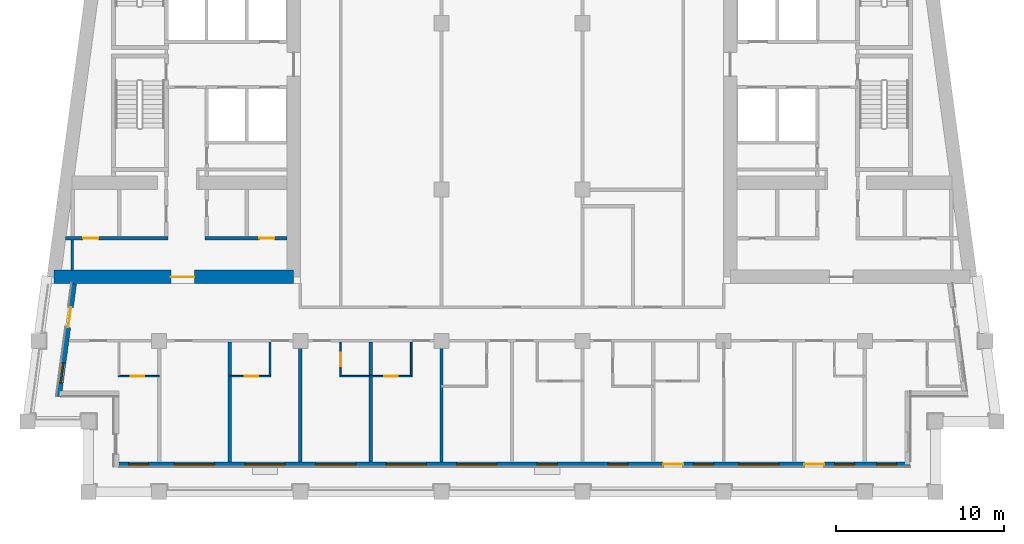
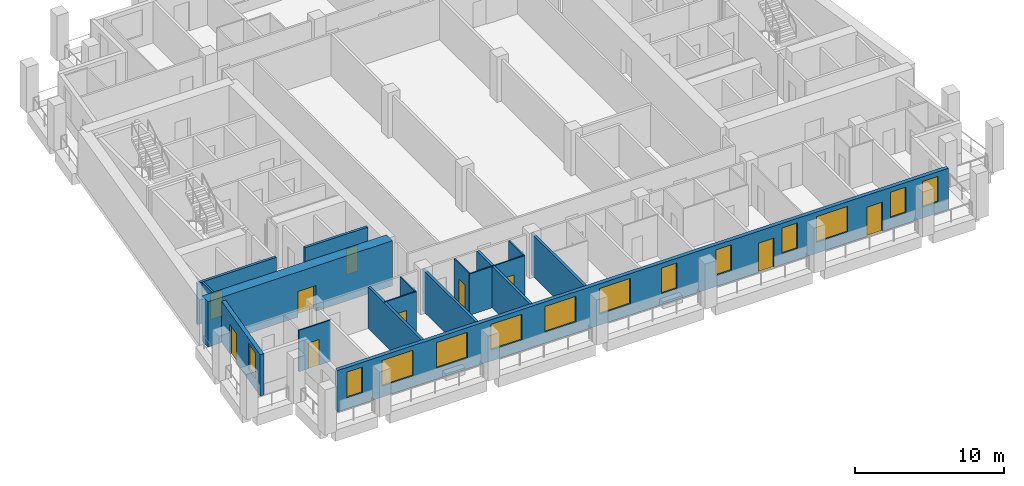
# One storey, part 2 of 13: 16 walls, 13 windows, 10 doors, 23 openings.
"""IFC4 building model written with IfcOpenShell, lengths in metres."""

from ifc_helpers import new_model, si_unit, direction, frame, frame_2d, origin, place, context, subcontext, project, spatial, rectangle, extrude, material, layer, layer_set, type_object, element, fill, save


model = new_model("IFC4")

# Units and contexts
model_context = context("Model", 3, precision=1e-05, world=origin(), true_north=direction((0.0, 1.0)))
body_context = subcontext(model_context, "Body", "Model", "MODEL_VIEW")
ifc_project = project(units=[si_unit("LENGTHUNIT", "METRE"), si_unit("AREAUNIT", "SQUARE_METRE"), si_unit("VOLUMEUNIT", "CUBIC_METRE"), si_unit("PLANEANGLEUNIT", "RADIAN"), si_unit("MASSUNIT", "GRAM", prefix="KILO")], contexts=[model_context])

# Site, building, storey
site_placement = place(None, origin())
site = spatial("IfcSite", under=ifc_project, at=site_placement, CompositionType="ELEMENT")
building_placement = place(site_placement, origin())
building = spatial("IfcBuilding", under=site, at=building_placement, Name="Candeia Pilgrim Tower and Theatre", CompositionType="ELEMENT")
storey_placement = place(building_placement, frame((0.0, 0.0, 205.89990234375)))
storey = spatial("IfcBuildingStorey", under=building, at=storey_placement, Name="L49", CompositionType="ELEMENT", Elevation=205.89990234375)

# Wall, opening, door
ifc_material_1 = material(Name="Concrete C50/60", Category="concrete")
ifc_layer_1 = layer(ifc_material_1, 0.800048828125)
ifc_layer_set_1 = layer_set([ifc_layer_1], Name="Core wall 800 C50/60")
wall_type_1 = type_object("IfcWallType", Name="Core wall 800 C50/60", PredefinedType="SHEAR", material=ifc_layer_set_1)
wall_1_placement = place(storey_placement, frame((100.39990234375, 110.800048828125, 0.0), z_axis=(0.0, 0.0, 1.0), x_axis=(-1.0, 0.0, 0.0)))
wall_1 = element("IfcWall", 1, at=wall_1_placement, inside=storey, type_object=wall_type_1, Name="Core wall W3", PredefinedType="SHEAR", context=body_context, shape_type="SweptSolid", body=[
    extrude(rectangle(XDim=14.273193359375, YDim=0.800048828125, at=frame_2d((7.13671875, 0.0))), origin(), (0.0, 0.0, 1.0), 3.7001953125),
])
opening_1_placement = place(wall_1_placement, frame((5.907958984375, 0.0, 0.0)))
opening_1 = element("IfcOpeningElement", 2, at=opening_1_placement, cuts=wall_1, Name="Opening L49-D060", PredefinedType="OPENING", context=body_context, shape_type="SweptSolid", body=[
    extrude(rectangle(XDim=1.39990234375, YDim=2.10009765625, at=frame_2d((0.699951171875, 1.050048828125))), frame((0.0, 0.41015625, 0.0), z_axis=(0.0, -1.0, 0.0), x_axis=(1.0, 0.0, 0.0)), (0.0, 0.0, 1.0), 0.820068359375),
])
ifc_material_2 = material(Name="Steel fire door set", Category="steel")
door_type_1 = type_object("IfcDoorType", Name="D-1400-FD60", OperationType="NOTDEFINED", PredefinedType="DOOR", material=ifc_material_2)
door_1_placement = place(opening_1_placement, origin())
door_1 = element("IfcDoor", 3, at=door_1_placement, inside=storey, type_object=door_type_1, Name="Door L49-D060", OperationType="SINGLE_SWING_LEFT", OverallHeight=2.10009765625, OverallWidth=1.39990234375, PredefinedType="DOOR", context=body_context, shape_type="SweptSolid", body=[
    extrude(rectangle(XDim=1.39990234375, YDim=2.10009765625, at=frame_2d((0.699951171875, 1.050048828125))), frame((0.0, 0.02490234375, 0.0), z_axis=(0.0, -1.0, 0.0), x_axis=(1.0, 0.0, 0.0)), (0.0, 0.0, 1.0), 0.050048828125),
])
fill(opening_1, door_1)

# Wall, openings, doors, windows
ifc_material_3 = material(Name="Ceramic block masonry", Category="masonry")
ifc_layer_2 = layer(ifc_material_3, 0.300048828125)
ifc_layer_set_2 = layer_set([ifc_layer_2], Name="EW1 glazing-line wall 300")
wall_type_2 = type_object("IfcWallType", Name="EW1 glazing-line wall 300", PredefinedType="SOLIDWALL", material=ifc_layer_set_2)
wall_2_placement = place(storey_placement, frame((89.85009765625, 99.64990234375, 0.0), z_axis=(0.0, 0.0, 1.0), x_axis=(1.0, 0.0, 0.0)))
wall_2 = element("IfcWall", 4, at=wall_2_placement, inside=storey, type_object=wall_type_2, Name="External wall L49-0.0", PredefinedType="SOLIDWALL", context=body_context, shape_type="SweptSolid", body=[
    extrude(rectangle(XDim=47.25, YDim=0.300048828125, at=frame_2d((23.625, 0.0))), origin(), (0.0, 0.0, 1.0), 3.380126953125),
])
opening_2_placement = place(wall_2_placement, frame((0.72509765625, 0.0, 0.89990234375)))
opening_2 = element("IfcOpeningElement", 5, at=opening_2_placement, cuts=wall_2, Name="Opening W-B", PredefinedType="OPENING", context=body_context, shape_type="SweptSolid", body=[
    extrude(rectangle(XDim=1.199951171875, YDim=2.10009765625, at=frame_2d((0.60009765625, 1.050048828125))), frame((0.0, 0.16015625, 0.0), z_axis=(0.0, -1.0, 0.0), x_axis=(1.0, 0.0, 0.0)), (0.0, 0.0, 1.0), 0.320068359375),
])
opening_3_placement = place(wall_2_placement, frame((3.449951171875, 0.0, 0.89990234375)))
opening_3 = element("IfcOpeningElement", 6, at=opening_3_placement, cuts=wall_2, Name="Opening W-A", PredefinedType="OPENING", context=body_context, shape_type="SweptSolid", body=[
    extrude(rectangle(XDim=2.39990234375, YDim=2.10009765625, at=frame_2d((1.199951171875, 1.050048828125))), frame((0.0, 0.16015625, 0.0), z_axis=(0.0, -1.0, 0.0), x_axis=(1.0, 0.0, 0.0)), (0.0, 0.0, 1.0), 0.320068359375),
])
opening_4_placement = place(wall_2_placement, frame((7.64990234375, 0.0, 0.89990234375)))
opening_4 = element("IfcOpeningElement", 7, at=opening_4_placement, cuts=wall_2, Name="Opening W-A", PredefinedType="OPENING", context=body_context, shape_type="SweptSolid", body=[
    extrude(rectangle(XDim=2.39990234375, YDim=2.10009765625, at=frame_2d((1.199951171875, 1.050048828125))), frame((0.0, 0.16015625, 0.0), z_axis=(0.0, -1.0, 0.0), x_axis=(1.0, 0.0, 0.0)), (0.0, 0.0, 1.0), 0.320068359375),
])
opening_5_placement = place(wall_2_placement, frame((11.85009765625, 0.0, 0.89990234375)))
opening_5 = element("IfcOpeningElement", 8, at=opening_5_placement, cuts=wall_2, Name="Opening W-A", PredefinedType="OPENING", context=body_context, shape_type="SweptSolid", body=[
    extrude(rectangle(XDim=2.39990234375, YDim=2.10009765625, at=frame_2d((1.199951171875, 1.050048828125))), frame((0.0, 0.16015625, 0.0), z_axis=(0.0, -1.0, 0.0), x_axis=(1.0, 0.0, 0.0)), (0.0, 0.0, 1.0), 0.320068359375),
])
opening_6_placement = place(wall_2_placement, frame((16.050048828125, 0.0, 0.89990234375)))
opening_6 = element("IfcOpeningElement", 9, at=opening_6_placement, cuts=wall_2, Name="Opening W-A", PredefinedType="OPENING", context=body_context, shape_type="SweptSolid", body=[
    extrude(rectangle(XDim=2.39990234375, YDim=2.10009765625, at=frame_2d((1.199951171875, 1.050048828125))), frame((0.0, 0.16015625, 0.0), z_axis=(0.0, -1.0, 0.0), x_axis=(1.0, 0.0, 0.0)), (0.0, 0.0, 1.0), 0.320068359375),
])
opening_7_placement = place(wall_2_placement, frame((20.25, 0.0, 0.89990234375)))
opening_7 = element("IfcOpeningElement", 10, at=opening_7_placement, cuts=wall_2, Name="Opening W-A", PredefinedType="OPENING", context=body_context, shape_type="SweptSolid", body=[
    extrude(rectangle(XDim=2.39990234375, YDim=2.10009765625, at=frame_2d((1.199951171875, 1.050048828125))), frame((0.0, 0.16015625, 0.0), z_axis=(0.0, -1.0, 0.0), x_axis=(1.0, 0.0, 0.0)), (0.0, 0.0, 1.0), 0.320068359375),
])
opening_8_placement = place(wall_2_placement, frame((25.050048828125, 0.0, 0.89990234375)))
opening_8 = element("IfcOpeningElement", 11, at=opening_8_placement, cuts=wall_2, Name="Opening W-B", PredefinedType="OPENING", context=body_context, shape_type="SweptSolid", body=[
    extrude(rectangle(XDim=1.199951171875, YDim=2.10009765625, at=frame_2d((0.60009765625, 1.050048828125))), frame((0.0, 0.16015625, 0.0), z_axis=(0.0, -1.0, 0.0), x_axis=(1.0, 0.0, 0.0)), (0.0, 0.0, 1.0), 0.320068359375),
])
opening_9_placement = place(wall_2_placement, frame((29.25, 0.0, 0.89990234375)))
opening_9 = element("IfcOpeningElement", 12, at=opening_9_placement, cuts=wall_2, Name="Opening W-B", PredefinedType="OPENING", context=body_context, shape_type="SweptSolid", body=[
    extrude(rectangle(XDim=1.199951171875, YDim=2.10009765625, at=frame_2d((0.60009765625, 1.050048828125))), frame((0.0, 0.16015625, 0.0), z_axis=(0.0, -1.0, 0.0), x_axis=(1.0, 0.0, 0.0)), (0.0, 0.0, 1.0), 0.320068359375),
])
opening_10_placement = place(wall_2_placement, frame((32.550048828125, 0.0, 0.0)))
opening_10 = element("IfcOpeningElement", 13, at=opening_10_placement, cuts=wall_2, Name="Opening L49-ED462", PredefinedType="OPENING", context=body_context, shape_type="SweptSolid", body=[
    extrude(rectangle(XDim=1.199951171875, YDim=2.39990234375, at=frame_2d((0.60009765625, 1.199951171875))), frame((0.0, 0.16015625, 0.0), z_axis=(0.0, -1.0, 0.0), x_axis=(1.0, 0.0, 0.0)), (0.0, 0.0, 1.0), 0.320068359375),
])
opening_11_placement = place(wall_2_placement, frame((34.35009765625, 0.0, 0.89990234375)))
opening_11 = element("IfcOpeningElement", 14, at=opening_11_placement, cuts=wall_2, Name="Opening W-B", PredefinedType="OPENING", context=body_context, shape_type="SweptSolid", body=[
    extrude(rectangle(XDim=1.199951171875, YDim=2.10009765625, at=frame_2d((0.60009765625, 1.050048828125))), frame((0.0, 0.16015625, 0.0), z_axis=(0.0, -1.0, 0.0), x_axis=(1.0, 0.0, 0.0)), (0.0, 0.0, 1.0), 0.320068359375),
])
opening_12_placement = place(wall_2_placement, frame((37.050048828125, 0.0, 0.89990234375)))
opening_12 = element("IfcOpeningElement", 15, at=opening_12_placement, cuts=wall_2, Name="Opening W-A", PredefinedType="OPENING", context=body_context, shape_type="SweptSolid", body=[
    extrude(rectangle(XDim=2.39990234375, YDim=2.10009765625, at=frame_2d((1.199951171875, 1.050048828125))), frame((0.0, 0.16015625, 0.0), z_axis=(0.0, -1.0, 0.0), x_axis=(1.0, 0.0, 0.0)), (0.0, 0.0, 1.0), 0.320068359375),
])
opening_13_placement = place(wall_2_placement, frame((40.949951171875, 0.0, 0.0)))
opening_13 = element("IfcOpeningElement", 16, at=opening_13_placement, cuts=wall_2, Name="Opening L49-ED463", PredefinedType="OPENING", context=body_context, shape_type="SweptSolid", body=[
    extrude(rectangle(XDim=1.199951171875, YDim=2.39990234375, at=frame_2d((0.60009765625, 1.199951171875))), frame((0.0, 0.16015625, 0.0), z_axis=(0.0, -1.0, 0.0), x_axis=(1.0, 0.0, 0.0)), (0.0, 0.0, 1.0), 0.320068359375),
])
opening_14_placement = place(wall_2_placement, frame((42.75, 0.0, 0.89990234375)))
opening_14 = element("IfcOpeningElement", 17, at=opening_14_placement, cuts=wall_2, Name="Opening W-B", PredefinedType="OPENING", context=body_context, shape_type="SweptSolid", body=[
    extrude(rectangle(XDim=1.199951171875, YDim=2.10009765625, at=frame_2d((0.60009765625, 1.050048828125))), frame((0.0, 0.16015625, 0.0), z_axis=(0.0, -1.0, 0.0), x_axis=(1.0, 0.0, 0.0)), (0.0, 0.0, 1.0), 0.320068359375),
])
opening_15_placement = place(wall_2_placement, frame((45.25, 0.0, 0.89990234375)))
opening_15 = element("IfcOpeningElement", 18, at=opening_15_placement, cuts=wall_2, Name="Opening W-B", PredefinedType="OPENING", context=body_context, shape_type="SweptSolid", body=[
    extrude(rectangle(XDim=1.199951171875, YDim=2.10009765625, at=frame_2d((0.60009765625, 1.050048828125))), frame((0.0, 0.16015625, 0.0), z_axis=(0.0, -1.0, 0.0), x_axis=(1.0, 0.0, 0.0)), (0.0, 0.0, 1.0), 0.320068359375),
])
ifc_material_4 = material(Name="Aluminium framed glazed door", Category="aluminium")
door_type_2 = type_object("IfcDoorType", Name="Loggia door 1200x2400", OperationType="DOUBLE_DOOR_SINGLE_SWING", PredefinedType="DOOR", material=ifc_material_4)
door_2_placement = place(opening_10_placement, origin())
door_2 = element("IfcDoor", 19, at=door_2_placement, inside=storey, type_object=door_type_2, Name="Loggia door L49-ED462", OperationType="DOUBLE_DOOR_SINGLE_SWING", OverallHeight=2.39990234375, OverallWidth=1.199951171875, PredefinedType="DOOR", context=body_context, shape_type="SweptSolid", body=[
    extrude(rectangle(XDim=1.199951171875, YDim=2.39990234375, at=frame_2d((0.60009765625, 1.199951171875))), frame((0.0, 0.02490234375, 0.0), z_axis=(0.0, -1.0, 0.0), x_axis=(1.0, 0.0, 0.0)), (0.0, 0.0, 1.0), 0.050048828125),
])
fill(opening_10, door_2)
door_3_placement = place(opening_13_placement, origin())
door_3 = element("IfcDoor", 20, at=door_3_placement, inside=storey, type_object=door_type_2, Name="Loggia door L49-ED463", OperationType="DOUBLE_DOOR_SINGLE_SWING", OverallHeight=2.39990234375, OverallWidth=1.199951171875, PredefinedType="DOOR", context=body_context, shape_type="SweptSolid", body=[
    extrude(rectangle(XDim=1.199951171875, YDim=2.39990234375, at=frame_2d((0.60009765625, 1.199951171875))), frame((0.0, 0.02490234375, 0.0), z_axis=(0.0, -1.0, 0.0), x_axis=(1.0, 0.0, 0.0)), (0.0, 0.0, 1.0), 0.050048828125),
])
fill(opening_13, door_3)
ifc_material_5 = material(Name="Aluminium framed double glazing", Category="aluminium")
window_type_1 = type_object("IfcWindowType", Name="W-A window 2400x2100", PartitioningType="DOUBLE_PANEL_VERTICAL", PredefinedType="WINDOW", material=ifc_material_5)
window_1_placement = place(opening_3_placement, origin())
window_1 = element("IfcWindow", 21, at=window_1_placement, inside=storey, type_object=window_type_1, Name="Window W-A L49", OverallHeight=2.10009765625, OverallWidth=2.39990234375, PartitioningType="SINGLE_PANEL", PredefinedType="WINDOW", context=body_context, shape_type="SweptSolid", body=[
    extrude(rectangle(XDim=2.39990234375, YDim=2.10009765625, at=frame_2d((1.199951171875, 1.050048828125))), frame((0.0, 0.030029296875, 0.0), z_axis=(0.0, -1.0, 0.0), x_axis=(1.0, 0.0, 0.0)), (0.0, 0.0, 1.0), 0.06005859375),
])
fill(opening_3, window_1)
window_2_placement = place(opening_4_placement, origin())
window_2 = element("IfcWindow", 22, at=window_2_placement, inside=storey, type_object=window_type_1, Name="Window W-A L49", OverallHeight=2.10009765625, OverallWidth=2.39990234375, PartitioningType="SINGLE_PANEL", PredefinedType="WINDOW", context=body_context, shape_type="SweptSolid", body=[
    extrude(rectangle(XDim=2.39990234375, YDim=2.10009765625, at=frame_2d((1.199951171875, 1.050048828125))), frame((0.0, 0.030029296875, 0.0), z_axis=(0.0, -1.0, 0.0), x_axis=(1.0, 0.0, 0.0)), (0.0, 0.0, 1.0), 0.06005859375),
])
fill(opening_4, window_2)
window_3_placement = place(opening_5_placement, origin())
window_3 = element("IfcWindow", 23, at=window_3_placement, inside=storey, type_object=window_type_1, Name="Window W-A L49", OverallHeight=2.10009765625, OverallWidth=2.39990234375, PartitioningType="SINGLE_PANEL", PredefinedType="WINDOW", context=body_context, shape_type="SweptSolid", body=[
    extrude(rectangle(XDim=2.39990234375, YDim=2.10009765625, at=frame_2d((1.199951171875, 1.050048828125))), frame((0.0, 0.030029296875, 0.0), z_axis=(0.0, -1.0, 0.0), x_axis=(1.0, 0.0, 0.0)), (0.0, 0.0, 1.0), 0.06005859375),
])
fill(opening_5, window_3)
window_4_placement = place(opening_6_placement, origin())
window_4 = element("IfcWindow", 24, at=window_4_placement, inside=storey, type_object=window_type_1, Name="Window W-A L49", OverallHeight=2.10009765625, OverallWidth=2.39990234375, PartitioningType="SINGLE_PANEL", PredefinedType="WINDOW", context=body_context, shape_type="SweptSolid", body=[
    extrude(rectangle(XDim=2.39990234375, YDim=2.10009765625, at=frame_2d((1.199951171875, 1.050048828125))), frame((0.0, 0.030029296875, 0.0), z_axis=(0.0, -1.0, 0.0), x_axis=(1.0, 0.0, 0.0)), (0.0, 0.0, 1.0), 0.06005859375),
])
fill(opening_6, window_4)
window_5_placement = place(opening_7_placement, origin())
window_5 = element("IfcWindow", 25, at=window_5_placement, inside=storey, type_object=window_type_1, Name="Window W-A L49", OverallHeight=2.10009765625, OverallWidth=2.39990234375, PartitioningType="SINGLE_PANEL", PredefinedType="WINDOW", context=body_context, shape_type="SweptSolid", body=[
    extrude(rectangle(XDim=2.39990234375, YDim=2.10009765625, at=frame_2d((1.199951171875, 1.050048828125))), frame((0.0, 0.030029296875, 0.0), z_axis=(0.0, -1.0, 0.0), x_axis=(1.0, 0.0, 0.0)), (0.0, 0.0, 1.0), 0.06005859375),
])
fill(opening_7, window_5)
window_6_placement = place(opening_12_placement, origin())
window_6 = element("IfcWindow", 26, at=window_6_placement, inside=storey, type_object=window_type_1, Name="Window W-A L49", OverallHeight=2.10009765625, OverallWidth=2.39990234375, PartitioningType="SINGLE_PANEL", PredefinedType="WINDOW", context=body_context, shape_type="SweptSolid", body=[
    extrude(rectangle(XDim=2.39990234375, YDim=2.10009765625, at=frame_2d((1.199951171875, 1.050048828125))), frame((0.0, 0.030029296875, 0.0), z_axis=(0.0, -1.0, 0.0), x_axis=(1.0, 0.0, 0.0)), (0.0, 0.0, 1.0), 0.06005859375),
])
fill(opening_12, window_6)
window_type_2 = type_object("IfcWindowType", Name="W-B window 1200x2100", PartitioningType="SINGLE_PANEL", PredefinedType="WINDOW", material=ifc_material_5)
window_7_placement = place(opening_2_placement, origin())
window_7 = element("IfcWindow", 27, at=window_7_placement, inside=storey, type_object=window_type_2, Name="Window W-B L49", OverallHeight=2.10009765625, OverallWidth=1.199951171875, PartitioningType="SINGLE_PANEL", PredefinedType="WINDOW", context=body_context, shape_type="SweptSolid", body=[
    extrude(rectangle(XDim=1.199951171875, YDim=2.10009765625, at=frame_2d((0.60009765625, 1.050048828125))), frame((0.0, 0.030029296875, 0.0), z_axis=(0.0, -1.0, 0.0), x_axis=(1.0, 0.0, 0.0)), (0.0, 0.0, 1.0), 0.06005859375),
])
fill(opening_2, window_7)
window_8_placement = place(opening_8_placement, origin())
window_8 = element("IfcWindow", 28, at=window_8_placement, inside=storey, type_object=window_type_2, Name="Window W-B L49", OverallHeight=2.10009765625, OverallWidth=1.199951171875, PartitioningType="SINGLE_PANEL", PredefinedType="WINDOW", context=body_context, shape_type="SweptSolid", body=[
    extrude(rectangle(XDim=1.199951171875, YDim=2.10009765625, at=frame_2d((0.60009765625, 1.050048828125))), frame((0.0, 0.030029296875, 0.0), z_axis=(0.0, -1.0, 0.0), x_axis=(1.0, 0.0, 0.0)), (0.0, 0.0, 1.0), 0.06005859375),
])
fill(opening_8, window_8)
window_9_placement = place(opening_9_placement, origin())
window_9 = element("IfcWindow", 29, at=window_9_placement, inside=storey, type_object=window_type_2, Name="Window W-B L49", OverallHeight=2.10009765625, OverallWidth=1.199951171875, PartitioningType="SINGLE_PANEL", PredefinedType="WINDOW", context=body_context, shape_type="SweptSolid", body=[
    extrude(rectangle(XDim=1.199951171875, YDim=2.10009765625, at=frame_2d((0.60009765625, 1.050048828125))), frame((0.0, 0.030029296875, 0.0), z_axis=(0.0, -1.0, 0.0), x_axis=(1.0, 0.0, 0.0)), (0.0, 0.0, 1.0), 0.06005859375),
])
fill(opening_9, window_9)
window_10_placement = place(opening_11_placement, origin())
window_10 = element("IfcWindow", 30, at=window_10_placement, inside=storey, type_object=window_type_2, Name="Window W-B L49", OverallHeight=2.10009765625, OverallWidth=1.199951171875, PartitioningType="SINGLE_PANEL", PredefinedType="WINDOW", context=body_context, shape_type="SweptSolid", body=[
    extrude(rectangle(XDim=1.199951171875, YDim=2.10009765625, at=frame_2d((0.60009765625, 1.050048828125))), frame((0.0, 0.030029296875, 0.0), z_axis=(0.0, -1.0, 0.0), x_axis=(1.0, 0.0, 0.0)), (0.0, 0.0, 1.0), 0.06005859375),
])
fill(opening_11, window_10)
window_11_placement = place(opening_14_placement, origin())
window_11 = element("IfcWindow", 31, at=window_11_placement, inside=storey, type_object=window_type_2, Name="Window W-B L49", OverallHeight=2.10009765625, OverallWidth=1.199951171875, PartitioningType="SINGLE_PANEL", PredefinedType="WINDOW", context=body_context, shape_type="SweptSolid", body=[
    extrude(rectangle(XDim=1.199951171875, YDim=2.10009765625, at=frame_2d((0.60009765625, 1.050048828125))), frame((0.0, 0.030029296875, 0.0), z_axis=(0.0, -1.0, 0.0), x_axis=(1.0, 0.0, 0.0)), (0.0, 0.0, 1.0), 0.06005859375),
])
fill(opening_14, window_11)
window_12_placement = place(opening_15_placement, origin())
window_12 = element("IfcWindow", 32, at=window_12_placement, inside=storey, type_object=window_type_2, Name="Window W-B L49", OverallHeight=2.10009765625, OverallWidth=1.199951171875, PartitioningType="SINGLE_PANEL", PredefinedType="WINDOW", context=body_context, shape_type="SweptSolid", body=[
    extrude(rectangle(XDim=1.199951171875, YDim=2.10009765625, at=frame_2d((0.60009765625, 1.050048828125))), frame((0.0, 0.030029296875, 0.0), z_axis=(0.0, -1.0, 0.0), x_axis=(1.0, 0.0, 0.0)), (0.0, 0.0, 1.0), 0.06005859375),
])
fill(opening_15, window_12)

# Wall, openings, door, window
wall_3_placement = place(storey_placement, frame((87.334228515625, 110.39990234375, 0.0), z_axis=(0.0, 0.0, 1.0), x_axis=(-0.133437175554, -0.991057273915, 0.0)))
wall_3 = element("IfcWall", 33, at=wall_3_placement, inside=storey, type_object=wall_type_2, Name="External wall L49-9.1", PredefinedType="SOLIDWALL", context=body_context, shape_type="SweptSolid", body=[
    extrude(rectangle(XDim=6.780517578125, YDim=0.300048828125, at=frame_2d((3.39013671875, 0.0))), origin(), (0.0, 0.0, 1.0), 3.380126953125),
])
opening_16_placement = place(wall_3_placement, frame((1.41796875, 0.0, 0.0)))
opening_16 = element("IfcOpeningElement", 34, at=opening_16_placement, cuts=wall_3, Name="Opening L49-ED471", PredefinedType="OPENING", context=body_context, shape_type="SweptSolid", body=[
    extrude(rectangle(XDim=1.199951171875, YDim=2.39990234375, at=frame_2d((0.60009765625, 1.199951171875))), frame((0.0, 0.16015625, 0.0), z_axis=(0.0, -1.0, 0.0), x_axis=(1.0, 0.0, 0.0)), (0.0, 0.0, 1.0), 0.320068359375),
])
opening_17_placement = place(wall_3_placement, frame((4.75830078125, 0.0, 0.89990234375)))
opening_17 = element("IfcOpeningElement", 35, at=opening_17_placement, cuts=wall_3, Name="Opening W-B", PredefinedType="OPENING", context=body_context, shape_type="SweptSolid", body=[
    extrude(rectangle(XDim=1.199951171875, YDim=2.10009765625, at=frame_2d((0.60009765625, 1.050048828125))), frame((0.0, 0.16015625, 0.0), z_axis=(0.0, -1.0, 0.0), x_axis=(1.0, 0.0, 0.0)), (0.0, 0.0, 1.0), 0.320068359375),
])
door_4_placement = place(opening_16_placement, origin())
door_4 = element("IfcDoor", 36, at=door_4_placement, inside=storey, type_object=door_type_2, Name="Loggia door L49-ED471", OperationType="DOUBLE_DOOR_SINGLE_SWING", OverallHeight=2.39990234375, OverallWidth=1.199951171875, PredefinedType="DOOR", context=body_context, shape_type="SweptSolid", body=[
    extrude(rectangle(XDim=1.199951171875, YDim=2.39990234375, at=frame_2d((0.60009765625, 1.199951171875))), frame((0.0, 0.02490234375, 0.0), z_axis=(0.0, -1.0, 0.0), x_axis=(1.0, 0.0, 0.0)), (0.0, 0.0, 1.0), 0.050048828125),
])
fill(opening_16, door_4)
window_13_placement = place(opening_17_placement, origin())
window_13 = element("IfcWindow", 37, at=window_13_placement, inside=storey, type_object=window_type_2, Name="Window W-B L49", OverallHeight=2.10009765625, OverallWidth=1.199951171875, PartitioningType="SINGLE_PANEL", PredefinedType="WINDOW", context=body_context, shape_type="SweptSolid", body=[
    extrude(rectangle(XDim=1.199951171875, YDim=2.10009765625, at=frame_2d((0.60009765625, 1.050048828125))), frame((0.0, 0.030029296875, 0.0), z_axis=(0.0, -1.0, 0.0), x_axis=(1.0, 0.0, 0.0)), (0.0, 0.0, 1.0), 0.06005859375),
])
fill(opening_17, window_13)

# Wall, opening, door
ifc_material_6 = material(Name="Gypsum board partition on steel studs", Category="steel")
ifc_layer_3 = layer(ifc_material_6, 0.10009765625)
ifc_layer_set_3 = layer_set([ifc_layer_3], Name="PW-100 room partition")
wall_type_3 = type_object("IfcWallType", Name="PW-100 room partition", PredefinedType="PARTITIONING", material=ifc_layer_set_3)
wall_4_placement = place(storey_placement, frame((89.949951171875, 104.89990234375, 0.0), z_axis=(0.0, 0.0, 1.0), x_axis=(1.0, 0.0, 0.0)))
wall_4 = element("IfcWall", 38, at=wall_4_placement, inside=storey, type_object=wall_type_3, Name="Room partition L49-006", PredefinedType="PARTITIONING", context=body_context, shape_type="SweptSolid", body=[
    extrude(rectangle(XDim=2.449951171875, YDim=0.10009765625, at=frame_2d((1.22509765625, 0.0))), origin(), (0.0, 0.0, 1.0), 3.380126953125),
])
opening_18_placement = place(wall_4_placement, frame((0.760009765625, 0.0, 0.0)))
opening_18 = element("IfcOpeningElement", 39, at=opening_18_placement, cuts=wall_4, Name="Opening L49-D018", PredefinedType="OPENING", context=body_context, shape_type="SweptSolid", body=[
    extrude(rectangle(XDim=0.800048828125, YDim=2.10009765625, at=frame_2d((0.39990234375, 1.050048828125))), frame((0.0, 0.06005859375, 0.0), z_axis=(0.0, -1.0, 0.0), x_axis=(1.0, 0.0, 0.0)), (0.0, 0.0, 1.0), 0.1201171875),
])
ifc_material_7 = material(Name="Timber door leaf", Category="wood")
door_type_3 = type_object("IfcDoorType", Name="D-800", OperationType="NOTDEFINED", PredefinedType="DOOR", material=ifc_material_7)
door_5_placement = place(opening_18_placement, origin())
door_5 = element("IfcDoor", 40, at=door_5_placement, inside=storey, type_object=door_type_3, Name="Door L49-D018", OperationType="SINGLE_SWING_LEFT", OverallHeight=2.10009765625, OverallWidth=0.800048828125, PredefinedType="DOOR", context=body_context, shape_type="SweptSolid", body=[
    extrude(rectangle(XDim=0.800048828125, YDim=2.10009765625, at=frame_2d((0.39990234375, 1.050048828125))), frame((0.0, 0.02490234375, 0.0), z_axis=(0.0, -1.0, 0.0), x_axis=(1.0, 0.0, 0.0)), (0.0, 0.0, 1.0), 0.050048828125),
])
fill(opening_18, door_5)

wall_5_placement = place(storey_placement, frame((96.60009765625, 104.89990234375, 0.0), z_axis=(0.0, 0.0, 1.0), x_axis=(1.0, 0.0, 0.0)))
wall_5 = element("IfcWall", 41, at=wall_5_placement, inside=storey, type_object=wall_type_3, Name="Room partition L49-007", PredefinedType="PARTITIONING", context=body_context, shape_type="SweptSolid", body=[
    extrude(rectangle(XDim=2.449951171875, YDim=0.10009765625, at=frame_2d((1.22509765625, 0.0))), origin(), (0.0, 0.0, 1.0), 3.380126953125),
])
opening_19_placement = place(wall_5_placement, frame((0.889892578125, 0.0, 0.0)))
opening_19 = element("IfcOpeningElement", 42, at=opening_19_placement, cuts=wall_5, Name="Opening L49-D021", PredefinedType="OPENING", context=body_context, shape_type="SweptSolid", body=[
    extrude(rectangle(XDim=0.800048828125, YDim=2.10009765625, at=frame_2d((0.39990234375, 1.050048828125))), frame((0.0, 0.06005859375, 0.0), z_axis=(0.0, -1.0, 0.0), x_axis=(1.0, 0.0, 0.0)), (0.0, 0.0, 1.0), 0.1201171875),
])
door_6_placement = place(opening_19_placement, origin())
door_6 = element("IfcDoor", 43, at=door_6_placement, inside=storey, type_object=door_type_3, Name="Door L49-D021", OperationType="SINGLE_SWING_RIGHT", OverallHeight=2.10009765625, OverallWidth=0.800048828125, PredefinedType="DOOR", context=body_context, shape_type="SweptSolid", body=[
    extrude(rectangle(XDim=0.800048828125, YDim=2.10009765625, at=frame_2d((0.39990234375, 1.050048828125))), frame((0.0, 0.02490234375, 0.0), z_axis=(0.0, -1.0, 0.0), x_axis=(1.0, 0.0, 0.0)), (0.0, 0.0, 1.0), 0.050048828125),
])
fill(opening_19, door_6)

wall_6_placement = place(storey_placement, frame((103.14990234375, 104.89990234375, 0.0), z_axis=(0.0, 0.0, 1.0), x_axis=(1.0, 0.0, 0.0)))
wall_6 = element("IfcWall", 44, at=wall_6_placement, inside=storey, type_object=wall_type_3, Name="Room partition L49-008", PredefinedType="PARTITIONING", context=body_context, shape_type="SweptSolid", body=[
    extrude(rectangle(XDim=4.300048828125, YDim=0.10009765625, at=frame_2d((2.14990234375, 0.0))), origin(), (0.0, 0.0, 1.0), 3.380126953125),
])
opening_20_placement = place(wall_6_placement, frame((2.64990234375, 0.0, 0.0)))
opening_20 = element("IfcOpeningElement", 45, at=opening_20_placement, cuts=wall_6, Name="Opening L49-D025", PredefinedType="OPENING", context=body_context, shape_type="SweptSolid", body=[
    extrude(rectangle(XDim=0.800048828125, YDim=2.10009765625, at=frame_2d((0.39990234375, 1.050048828125))), frame((0.0, 0.06005859375, 0.0), z_axis=(0.0, -1.0, 0.0), x_axis=(1.0, 0.0, 0.0)), (0.0, 0.0, 1.0), 0.1201171875),
])
door_7_placement = place(opening_20_placement, origin())
door_7 = element("IfcDoor", 46, at=door_7_placement, inside=storey, type_object=door_type_3, Name="Door L49-D025", OperationType="SINGLE_SWING_RIGHT", OverallHeight=2.10009765625, OverallWidth=0.800048828125, PredefinedType="DOOR", context=body_context, shape_type="SweptSolid", body=[
    extrude(rectangle(XDim=0.800048828125, YDim=2.10009765625, at=frame_2d((0.39990234375, 1.050048828125))), frame((0.0, 0.02490234375, 0.0), z_axis=(0.0, -1.0, 0.0), x_axis=(1.0, 0.0, 0.0)), (0.0, 0.0, 1.0), 0.050048828125),
])
fill(opening_20, door_7)

# Wall
wall_7_placement = place(storey_placement, frame((99.0, 104.949951171875, 0.0), z_axis=(0.0, 0.0, 1.0), x_axis=(0.0, 1.0, 0.0)))
element("IfcWall", 47, at=wall_7_placement, inside=storey, type_object=wall_type_3, Name="Room partition L49-073", PredefinedType="PARTITIONING", context=body_context, shape_type="SweptSolid", body=[
    extrude(rectangle(XDim=1.97509765625, YDim=0.10009765625, at=frame_2d((0.987548828125, 0.0))), origin(), (0.0, 0.0, 1.0), 3.380126953125),
])

# Wall, opening, door
wall_8_placement = place(storey_placement, frame((103.199951171875, 104.949951171875, 0.0), z_axis=(0.0, 0.0, 1.0), x_axis=(0.0, 1.0, 0.0)))
wall_8 = element("IfcWall", 48, at=wall_8_placement, inside=storey, type_object=wall_type_3, Name="Room partition L49-079", PredefinedType="PARTITIONING", context=body_context, shape_type="SweptSolid", body=[
    extrude(rectangle(XDim=1.97509765625, YDim=0.10009765625, at=frame_2d((0.987548828125, 0.0))), origin(), (0.0, 0.0, 1.0), 3.380126953125),
])
opening_21_placement = place(wall_8_placement, frame((0.5400390625, 0.0, 0.0)))
opening_21 = element("IfcOpeningElement", 49, at=opening_21_placement, cuts=wall_8, Name="Opening L49-D023", PredefinedType="OPENING", context=body_context, shape_type="SweptSolid", body=[
    extrude(rectangle(XDim=0.800048828125, YDim=2.10009765625, at=frame_2d((0.39990234375, 1.050048828125))), frame((0.0, 0.06005859375, 0.0), z_axis=(0.0, -1.0, 0.0), x_axis=(1.0, 0.0, 0.0)), (0.0, 0.0, 1.0), 0.1201171875),
])
door_8_placement = place(opening_21_placement, origin())
door_8 = element("IfcDoor", 50, at=door_8_placement, inside=storey, type_object=door_type_3, Name="Door L49-D023", OperationType="SINGLE_SWING_RIGHT", OverallHeight=2.10009765625, OverallWidth=0.800048828125, PredefinedType="DOOR", context=body_context, shape_type="SweptSolid", body=[
    extrude(rectangle(XDim=0.800048828125, YDim=2.10009765625, at=frame_2d((0.39990234375, 1.050048828125))), frame((0.0, 0.02490234375, 0.0), z_axis=(0.0, -1.0, 0.0), x_axis=(1.0, 0.0, 0.0)), (0.0, 0.0, 1.0), 0.050048828125),
])
fill(opening_21, door_8)

# Walls
wall_9_placement = place(storey_placement, frame((107.39990234375, 104.949951171875, 0.0), z_axis=(0.0, 0.0, 1.0), x_axis=(0.0, 1.0, 0.0)))
element("IfcWall", 51, at=wall_9_placement, inside=storey, type_object=wall_type_3, Name="Room partition L49-084", PredefinedType="PARTITIONING", context=body_context, shape_type="SweptSolid", body=[
    extrude(rectangle(XDim=1.97509765625, YDim=0.10009765625, at=frame_2d((0.987548828125, 0.0))), origin(), (0.0, 0.0, 1.0), 3.380126953125),
])
ifc_layer_4 = layer(ifc_material_6, 0.14990234375)
ifc_layer_set_4 = layer_set([ifc_layer_4], Name="PW-150 lobby wall")
wall_type_4 = type_object("IfcWallType", Name="PW-150 lobby wall", PredefinedType="PARTITIONING", material=ifc_layer_set_4)
wall_10_placement = place(storey_placement, frame((87.22705078125, 111.199951171875, 0.0), z_axis=(0.0, 0.0, 1.0), x_axis=(0.0, 1.0, 0.0)))
element("IfcWall", 52, at=wall_10_placement, inside=storey, type_object=wall_type_4, Name="Lobby wall L49-052", PredefinedType="PARTITIONING", context=body_context, shape_type="SweptSolid", body=[
    extrude(rectangle(XDim=1.800048828125, YDim=0.14990234375, at=frame_2d((0.89990234375, 0.0))), origin(), (0.0, 0.0, 1.0), 3.380126953125),
])
ifc_layer_5 = layer(ifc_material_6, 0.199951171875)
ifc_layer_set_5 = layer_set([ifc_layer_5], Name="PW-200 party wall")
wall_type_5 = type_object("IfcWallType", Name="PW-200 party wall", PredefinedType="PARTITIONING", material=ifc_layer_set_5)
for number, where, z_axis, x_axis, name in (
    (53, (96.60009765625, 99.7900390625, 0.0), (0.0, 0.0, 1.0), (0.0, 1.0, 0.0), "Party wall L49-068"),
    (54, (100.800048828125, 99.7900390625, 0.0), (0.0, 0.0, 1.0), (0.0, 1.0, 0.0), "Party wall L49-074"),
    (55, (105.0, 99.7900390625, 0.0), (0.0, 0.0, 1.0), (0.0, 1.0, 0.0), "Party wall L49-081"),
    (56, (109.199951171875, 99.7900390625, 0.0), (0.0, 0.0, 1.0), (0.0, 1.0, 0.0), "Party wall L49-085"),
):
    element("IfcWall", number, at=place(storey_placement, frame(where, z_axis=z_axis, x_axis=x_axis)), inside=storey, type_object=wall_type_5, Name=name, PredefinedType="PARTITIONING", context=body_context, shape_type="SweptSolid", body=[
        extrude(rectangle(XDim=7.135009765625, YDim=0.199951171875, at=frame_2d((3.5673828125, 0.0))), origin(), (0.0, 0.0, 1.0), 3.380126953125),
    ])

# Wall, opening, door
ifc_material_8 = material(Name="Concrete C40/50", Category="concrete")
ifc_layer_6 = layer(ifc_material_8, 0.199951171875)
ifc_layer_set_6 = layer_set([ifc_layer_6], Name="SW-200 shaft wall")
wall_type_6 = type_object("IfcWallType", Name="SW-200 shaft wall", PredefinedType="PARTITIONING", material=ifc_layer_set_6)
wall_11_placement = place(storey_placement, frame((86.809814453125, 113.10009765625, 0.0), z_axis=(0.0, 0.0, 1.0), x_axis=(1.0, 0.0, 0.0)))
wall_11 = element("IfcWall", 57, at=wall_11_placement, inside=storey, type_object=wall_type_6, Name="Shaft wall L49-012", PredefinedType="PARTITIONING", context=body_context, shape_type="SweptSolid", body=[
    extrude(rectangle(XDim=6.1171875, YDim=0.199951171875, at=frame_2d((3.05859375, 0.0))), origin(), (0.0, 0.0, 1.0), 3.380126953125),
])
opening_22_placement = place(wall_11_placement, frame((1.067138671875, 0.0, 0.0)))
opening_22 = element("IfcOpeningElement", 58, at=opening_22_placement, cuts=wall_11, Name="Opening L49-D005", PredefinedType="OPENING", context=body_context, shape_type="SweptSolid", body=[
    extrude(rectangle(XDim=0.89990234375, YDim=2.10009765625, at=frame_2d((0.449951171875, 1.050048828125))), frame((0.0, 0.10986328125, 0.0), z_axis=(0.0, -1.0, 0.0), x_axis=(1.0, 0.0, 0.0)), (0.0, 0.0, 1.0), 0.219970703125),
])
door_type_4 = type_object("IfcDoorType", Name="D-900-FD60", OperationType="NOTDEFINED", PredefinedType="DOOR", material=ifc_material_2)
door_9_placement = place(opening_22_placement, origin())
door_9 = element("IfcDoor", 59, at=door_9_placement, inside=storey, type_object=door_type_4, Name="Door L49-D005", OperationType="SINGLE_SWING_RIGHT", OverallHeight=2.10009765625, OverallWidth=0.89990234375, PredefinedType="DOOR", context=body_context, shape_type="SweptSolid", body=[
    extrude(rectangle(XDim=0.89990234375, YDim=2.10009765625, at=frame_2d((0.449951171875, 1.050048828125))), frame((0.0, 0.02490234375, 0.0), z_axis=(0.0, -1.0, 0.0), x_axis=(1.0, 0.0, 0.0)), (0.0, 0.0, 1.0), 0.050048828125),
])
fill(opening_22, door_9)

wall_12_placement = place(storey_placement, frame((95.126953125, 113.10009765625, 0.0), z_axis=(0.0, 0.0, 1.0), x_axis=(1.0, 0.0, 0.0)))
wall_12 = element("IfcWall", 60, at=wall_12_placement, inside=storey, type_object=wall_type_6, Name="Shaft wall L49-013", PredefinedType="PARTITIONING", context=body_context, shape_type="SweptSolid", body=[
    extrude(rectangle(XDim=4.873046875, YDim=0.199951171875, at=frame_2d((2.4365234375, 0.0))), origin(), (0.0, 0.0, 1.0), 3.380126953125),
])
opening_23_placement = place(wall_12_placement, frame((3.22998046875, 0.0, 0.0)))
opening_23 = element("IfcOpeningElement", 61, at=opening_23_placement, cuts=wall_12, Name="Opening L49-D008", PredefinedType="OPENING", context=body_context, shape_type="SweptSolid", body=[
    extrude(rectangle(XDim=0.89990234375, YDim=2.10009765625, at=frame_2d((0.449951171875, 1.050048828125))), frame((0.0, 0.10986328125, 0.0), z_axis=(0.0, -1.0, 0.0), x_axis=(1.0, 0.0, 0.0)), (0.0, 0.0, 1.0), 0.219970703125),
])
door_10_placement = place(opening_23_placement, origin())
door_10 = element("IfcDoor", 62, at=door_10_placement, inside=storey, type_object=door_type_4, Name="Door L49-D008", OperationType="SINGLE_SWING_LEFT", OverallHeight=2.10009765625, OverallWidth=0.89990234375, PredefinedType="DOOR", context=body_context, shape_type="SweptSolid", body=[
    extrude(rectangle(XDim=0.89990234375, YDim=2.10009765625, at=frame_2d((0.449951171875, 1.050048828125))), frame((0.0, 0.02490234375, 0.0), z_axis=(0.0, -1.0, 0.0), x_axis=(1.0, 0.0, 0.0)), (0.0, 0.0, 1.0), 0.050048828125),
])
fill(opening_23, door_10)

save(model, "model.ifc")
